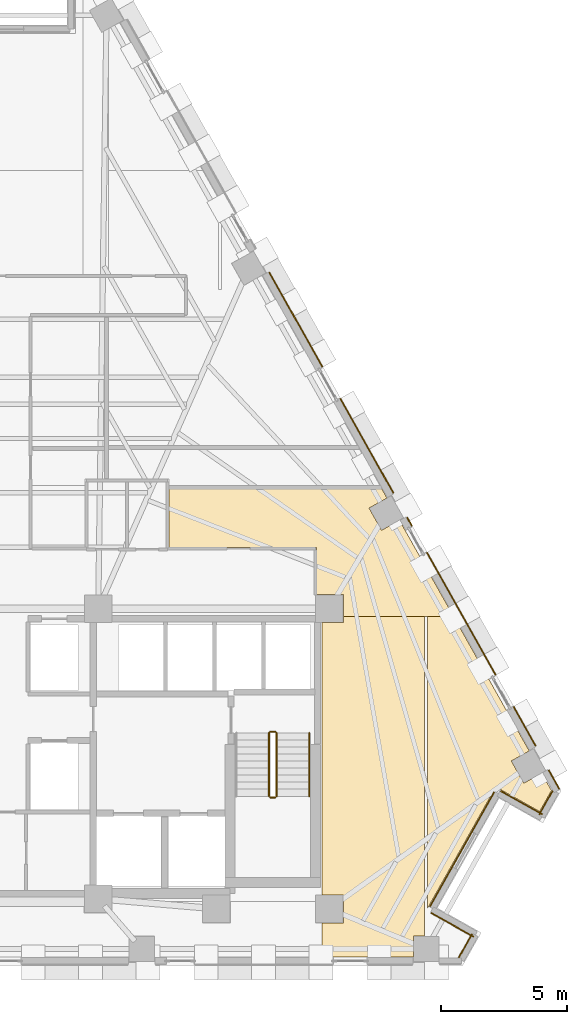
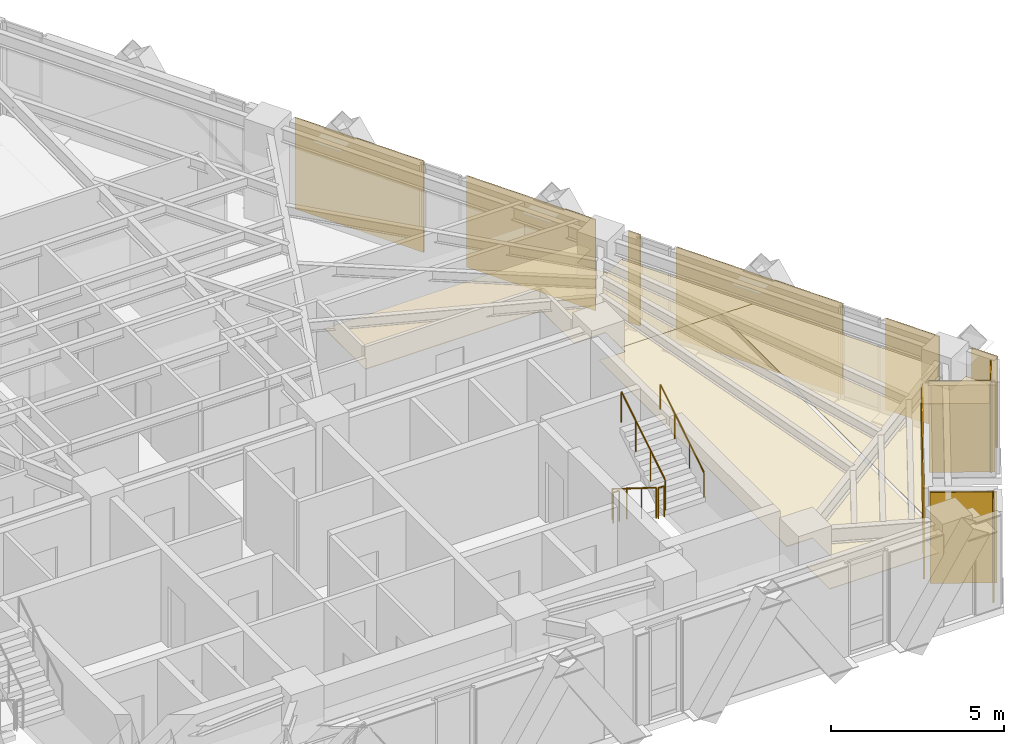
# One storey, part 13 of 14: 14 coverings, 5 railings.
"""IFC4 building model written with IfcOpenShell, lengths in metres."""

from ifc_helpers import new_model, si_unit, direction, frame, origin, origin_2d, place, context, subcontext, project, spatial, polyline, circle, outline, extrude, material, layer, layer_set, type_object, element, save


model = new_model("IFC4")

# Units and contexts
model_context = context("Model", 3, precision=1e-05, world=origin(), true_north=direction((0.0, 1.0)))
body_context = subcontext(model_context, "Body", "Model", "MODEL_VIEW")
ifc_project = project(units=[si_unit("LENGTHUNIT", "METRE"), si_unit("AREAUNIT", "SQUARE_METRE"), si_unit("VOLUMEUNIT", "CUBIC_METRE"), si_unit("PLANEANGLEUNIT", "RADIAN"), si_unit("MASSUNIT", "GRAM", prefix="KILO")], contexts=[model_context])

# Site, building, storey
site_placement = place(None, origin())
site = spatial("IfcSite", under=ifc_project, at=site_placement, CompositionType="ELEMENT")
building_placement = place(site_placement, origin())
building = spatial("IfcBuilding", under=site, at=building_placement, Name="Quenlor Broadcast Tower", CompositionType="ELEMENT")
storey_placement = place(building_placement, frame((0.0, 0.0, 168.5)))
storey = spatial("IfcBuildingStorey", under=building, at=storey_placement, Name="L46", CompositionType="ELEMENT", Elevation=168.5)

# Coverings
ifc_material_1 = material(Name="Acoustic Mineral Fibre Board", Category="other")
ifc_layer_1 = layer(ifc_material_1, 0.02490234375)
ifc_layer_set_1 = layer_set([ifc_layer_1], Name="Acoustic Perforated Mineral Tile Ceiling 25")
covering_type_1 = type_object("IfcCoveringType", Name="Acoustic Perforated Mineral Tile Ceiling 25", PredefinedType="CEILING", material=ifc_layer_set_1)
covering_1_placement = place(storey_placement, frame((0.0, 0.0, 2.375)))
element("IfcCovering", 1, at=covering_1_placement, inside=storey, type_object=covering_type_1, Name="L46 Acoustic Ceiling L46-38", PredefinedType="CEILING", context=body_context, shape_type="SweptSolid", body=[
    extrude(outline(polyline([(13.508056640625, -4.241943359375), (12.43994140625, -4.241943359375), (12.43994140625, -2.3701171875), (6.570068359375, -2.3701171875), (6.570068359375, -0.016357421875), (15.031494140625, -0.016357421875), (15.2451171875, -0.39599609375), (14.5322265625, -0.797119140625), (15.0302734375, -1.6826171875), (15.7431640625, -1.281494140625), (17.90234375, -5.1201171875), (16.860107421875, -5.1201171875), (16.739990234375, -5.1201171875), (13.508056640625, -5.1201171875), (13.508056640625, -4.241943359375)])), origin(), (0.0, 0.0, 1.0), 0.02490234375),
])
covering_2_placement = place(storey_placement, frame((0.0, 0.0, 2.375)))
element("IfcCovering", 2, at=covering_2_placement, inside=storey, type_object=covering_type_1, Name="L46 Acoustic Ceiling L46-38-2", PredefinedType="CEILING", context=body_context, shape_type="SweptSolid", body=[
    extrude(outline(polyline([(13.508056640625, -5.1201171875), (16.739990234375, -5.1201171875), (16.739990234375, -17.842041015625), (16.30029296875, -17.842041015625), (16.30029296875, -18.659912109375), (12.64990234375, -18.659912109375), (12.64990234375, -17.30810546875), (13.508056640625, -17.30810546875), (13.508056640625, -16.19189453125), (12.64990234375, -16.19189453125), (12.64990234375, -5.35791015625), (13.508056640625, -5.35791015625), (13.508056640625, -5.1201171875)])), origin(), (0.0, 0.0, 1.0), 0.02490234375),
])
covering_3_placement = place(storey_placement, frame((0.0, 0.0, 2.375)))
element("IfcCovering", 3, at=covering_3_placement, inside=storey, type_object=covering_type_1, Name="L46 Acoustic Ceiling L46-38-3", PredefinedType="CEILING", context=body_context, shape_type="SweptSolid", body=[
    extrude(outline(polyline([(20.90869140625, -10.46484375), (20.19580078125, -10.86572265625), (20.694091796875, -11.751220703125), (21.406982421875, -11.350341796875), (21.794921875, -12.0400390625), (21.323486328125, -12.878173828125), (19.580322265625, -11.8974609375), (16.860107421875, -16.733642578125), (16.860107421875, -5.1201171875), (17.90234375, -5.1201171875), (20.90869140625, -10.46484375)])), origin(), (0.0, 0.0, 1.0), 0.02490234375),
])
ifc_material_2 = material(Name="Architectural Terracotta Ceramic", Category="masonry")
ifc_layer_2 = layer(ifc_material_2, 0.044921875)
ifc_layer_set_2 = layer_set([ifc_layer_2], Name="Fluted Terracotta Rainscreen Cladding Panel")
covering_type_2 = type_object("IfcCoveringType", Name="Fluted Terracotta Rainscreen Cladding Panel", PredefinedType="CLADDING", material=ifc_layer_set_2)
covering_4_placement = place(storey_placement, frame((0.0, 0.0, 0.02001953125)))
element("IfcCovering", 4, at=covering_4_placement, inside=storey, type_object=covering_type_2, Name="L46 Terracotta Rainscreen Cladding L46-SHD-NES1", PredefinedType="CLADDING", context=body_context, shape_type="SweptSolid", body=[
    extrude(outline(polyline([(21.66162109375, -11.23779296875), (22.0859375, -11.992431640625), (22.125244140625, -11.970458984375), (21.70068359375, -11.2158203125), (21.66162109375, -11.23779296875)])), origin(), (0.0, 0.0, 1.0), 3.2099609375),
])
covering_5_placement = place(storey_placement, frame((0.0, 0.0, 0.02001953125)))
element("IfcCovering", 5, at=covering_5_placement, inside=storey, type_object=covering_type_2, Name="L46 Terracotta Rainscreen Cladding L46-NEC-SP1", PredefinedType="CLADDING", context=body_context, shape_type="SweptSolid", body=[
    extrude(outline(polyline([(16.025146484375, -1.1767578125), (16.22119140625, -1.525390625), (16.260498046875, -1.50341796875), (16.064453125, -1.15478515625), (16.025146484375, -1.1767578125)])), origin(), (0.0, 0.0, 1.0), 3.2099609375),
])
covering_6_placement = place(storey_placement, frame((0.0, 0.0, 0.02001953125)))
element("IfcCovering", 6, at=covering_6_placement, inside=storey, type_object=covering_type_2, Name="L46 Terracotta Rainscreen Cladding L46-NEC-SP2", PredefinedType="CLADDING", context=body_context, shape_type="SweptSolid", body=[
    extrude(outline(polyline([(16.81591796875, -2.582763671875), (19.55322265625, -7.44921875), (19.592529296875, -7.42724609375), (16.855224609375, -2.560791015625), (16.81591796875, -2.582763671875)])), origin(), (0.0, 0.0, 1.0), 3.2099609375),
])
covering_7_placement = place(storey_placement, frame((0.0, 0.0, 0.02001953125)))
element("IfcCovering", 7, at=covering_7_placement, inside=storey, type_object=covering_type_2, Name="L46 Terracotta Rainscreen Cladding L46-NEC-SP3", PredefinedType="CLADDING", context=body_context, shape_type="SweptSolid", body=[
    extrude(outline(polyline([(20.26416015625, -8.712646484375), (21.14453125, -10.278076171875), (21.183837890625, -10.256103515625), (20.30322265625, -8.690673828125), (20.26416015625, -8.712646484375)])), origin(), (0.0, 0.0, 1.0), 3.2099609375),
])
covering_8_placement = place(storey_placement, frame((0.0, 0.0, 0.02001953125)))
element("IfcCovering", 8, at=covering_8_placement, inside=storey, type_object=covering_type_2, Name="L46 Terracotta Rainscreen Cladding L46-NE-SP1", PredefinedType="CLADDING", context=body_context, shape_type="SweptSolid", body=[
    extrude(outline(polyline([(10.541748046875, 8.571533203125), (12.656982421875, 4.810791015625), (12.6962890625, 4.832763671875), (10.580810546875, 8.593505859375), (10.541748046875, 8.571533203125)])), origin(), (0.0, 0.0, 1.0), 3.2099609375),
])
covering_9_placement = place(storey_placement, frame((0.0, 0.0, 0.02001953125)))
element("IfcCovering", 9, at=covering_9_placement, inside=storey, type_object=covering_type_2, Name="L46 Terracotta Rainscreen Cladding L46-NE-SP2", PredefinedType="CLADDING", context=body_context, shape_type="SweptSolid", body=[
    extrude(outline(polyline([(13.367919921875, 3.547119140625), (15.4833984375, -0.213623046875), (15.522705078125, -0.191650390625), (13.4072265625, 3.569091796875), (13.367919921875, 3.547119140625)])), origin(), (0.0, 0.0, 1.0), 3.2099609375),
])
covering_10_placement = place(storey_placement, frame((0.0, 0.0, 0.02001953125)))
element("IfcCovering", 10, at=covering_10_placement, inside=storey, type_object=covering_type_2, Name="L46 Terracotta Rainscreen Cladding L46-CNR-01", PredefinedType="CLADDING", context=body_context, shape_type="SweptSolid", body=[
    extrude(outline(polyline([(18.702880859375, -17.8427734375), (17.011962890625, -16.8916015625), (16.989990234375, -16.930908203125), (18.680908203125, -17.882080078125), (18.702880859375, -17.8427734375)])), origin(), (0.0, 0.0, 1.0), 3.2099609375),
])
covering_11_placement = place(storey_placement, frame((0.0, 0.0, 0.02001953125)))
element("IfcCovering", 11, at=covering_11_placement, inside=storey, type_object=covering_type_2, Name="L46 Terracotta Rainscreen Cladding L46-CNR-02", PredefinedType="CLADDING", context=body_context, shape_type="SweptSolid", body=[
    extrude(outline(polyline([(16.9775390625, -16.663330078125), (19.53662109375, -12.11376953125), (19.49755859375, -12.091796875), (16.938232421875, -16.641357421875), (16.9775390625, -16.663330078125)])), origin(), (0.0, 0.0, 1.0), 3.2099609375),
])
covering_12_placement = place(storey_placement, frame((0.0, 0.0, 0.02001953125)))
element("IfcCovering", 12, at=covering_12_placement, inside=storey, type_object=covering_type_2, Name="L46 Terracotta Rainscreen Cladding L46-CNR-03", PredefinedType="CLADDING", context=body_context, shape_type="SweptSolid", body=[
    extrude(outline(polyline([(19.764892578125, -12.079345703125), (21.4208984375, -13.010986328125), (21.443115234375, -12.9716796875), (19.787109375, -12.0400390625), (19.764892578125, -12.079345703125)])), origin(), (0.0, 0.0, 1.0), 3.2099609375),
])
covering_13_placement = place(storey_placement, frame((0.0, 0.0, 0.02001953125)))
element("IfcCovering", 13, at=covering_13_placement, inside=storey, type_object=covering_type_2, Name="L46 Terracotta Rainscreen Cladding L46-CNR-04", PredefinedType="CLADDING", context=body_context, shape_type="SweptSolid", body=[
    extrude(outline(polyline([(21.328857421875, -13.007080078125), (21.859619140625, -12.0634765625), (21.820556640625, -12.04150390625), (21.289794921875, -12.985107421875), (21.328857421875, -13.007080078125)])), origin(), (0.0, 0.0, 1.0), 3.2099609375),
])
covering_14_placement = place(storey_placement, frame((0.0, 0.0, 0.02001953125)))
element("IfcCovering", 14, at=covering_14_placement, inside=storey, type_object=covering_type_2, Name="L46 Terracotta Rainscreen Cladding L46-CNR-18", PredefinedType="CLADDING", context=body_context, shape_type="SweptSolid", body=[
    extrude(outline(polyline([(18.122802734375, -18.70654296875), (18.652099609375, -17.76611328125), (18.61279296875, -17.743896484375), (18.083740234375, -18.6845703125), (18.122802734375, -18.70654296875)])), origin(), (0.0, 0.0, 1.0), 3.2099609375),
])

# Railings
ifc_material_3 = material(Name="Anodised Aluminium", Category="aluminium")
railing_type_1 = type_object("IfcRailingType", Name="Stainless Aluminium Wall Handrail 900", PredefinedType="HANDRAIL", material=ifc_material_3)
railing_1_placement = place(storey_placement, frame((12.14990234375, -12.27001953125, 1.925048828125)))
element("IfcRailing", 15, at=railing_1_placement, inside=storey, type_object=railing_type_1, Name="L46 ST-2 stair handrail 2", PredefinedType="HANDRAIL", context=body_context, shape_type="SweptSolid", body=[
    extrude(circle(Radius=0.02392578125, at=origin_2d()), frame((0.0, 0.0, 0.8759765625), z_axis=(0.0, 0.848007534815, 0.529984170421), x_axis=(-1.0, 0.0, 0.0)), (0.0, 0.0, 1.0), 2.9716796875),
    extrude(circle(Radius=0.02099609375, at=origin_2d()), origin(), (0.0, 0.0, 1.0), 0.851806640625),
    extrude(circle(Radius=0.02099609375, at=origin_2d()), frame((0.0, 0.840087890625, 0.52490234375)), (0.0, 0.0, 1.0), 0.851806640625),
    extrude(circle(Radius=0.02099609375, at=origin_2d()), frame((0.0, 1.679931640625, 1.050048828125)), (0.0, 0.0, 1.0), 0.851806640625),
    extrude(circle(Radius=0.02099609375, at=origin_2d()), frame((0.0, 2.52001953125, 1.574951171875)), (0.0, 0.0, 1.0), 0.851806640625),
])
ifc_material_4 = material(Name="Steel S355", Category="steel")
railing_type_2 = type_object("IfcRailingType", Name="Tubular Steel S355 Stair Guardrail 1100", PredefinedType="BALUSTRADE", material=ifc_material_4)
railing_2_placement = place(storey_placement, frame((10.550048828125, -9.75, 0.175048828125)))
element("IfcRailing", 16, at=railing_2_placement, inside=storey, type_object=railing_type_2, Name="L46 ST-2 stair guard 1", PredefinedType="BALUSTRADE", context=body_context, shape_type="SweptSolid", body=[
    extrude(circle(Radius=0.02392578125, at=origin_2d()), frame((0.0, 0.0, 1.076171875), z_axis=(0.0, -0.848007534815, 0.529984170421), x_axis=(1.0, 0.0, 0.0)), (0.0, 0.0, 1.0), 2.9716796875),
    extrude(circle(Radius=0.02099609375, at=origin_2d()), origin(), (0.0, 0.0, 1.0), 1.052001953125),
    extrude(circle(Radius=0.02099609375, at=origin_2d()), frame((0.0, -0.840087890625, 0.52490234375)), (0.0, 0.0, 1.0), 1.052001953125),
    extrude(circle(Radius=0.02099609375, at=origin_2d()), frame((0.0, -1.679931640625, 1.050048828125)), (0.0, 0.0, 1.0), 1.052001953125),
    extrude(circle(Radius=0.02099609375, at=origin_2d()), frame((0.0, -2.52001953125, 1.574951171875)), (0.0, 0.0, 1.0), 1.052001953125),
])
railing_3_placement = place(storey_placement, frame((10.60009765625, -12.320068359375, 1.75)))
element("IfcRailing", 17, at=railing_3_placement, inside=storey, type_object=railing_type_2, Name="L46 ST-2 stair guard 2", PredefinedType="BALUSTRADE", context=body_context, shape_type="SweptSolid", body=[
    extrude(circle(Radius=0.02392578125, at=origin_2d()), frame((0.0, 0.0, 1.076171875), z_axis=(1.0, 0.0, 0.0), x_axis=(0.0, 1.0, 0.0)), (0.0, 0.0, 1.0), 0.199951171875),
    extrude(circle(Radius=0.02099609375, at=origin_2d()), origin(), (0.0, 0.0, 1.0), 1.052001953125),
    extrude(circle(Radius=0.02099609375, at=origin_2d()), frame((0.199951171875, 0.0, 0.0)), (0.0, 0.0, 1.0), 1.052001953125),
])
railing_4_placement = place(storey_placement, frame((10.85009765625, -12.27001953125, 1.925048828125)))
element("IfcRailing", 18, at=railing_4_placement, inside=storey, type_object=railing_type_2, Name="L46 ST-2 stair guard 3", PredefinedType="BALUSTRADE", context=body_context, shape_type="SweptSolid", body=[
    extrude(circle(Radius=0.02392578125, at=origin_2d()), frame((0.0, 0.0, 1.076171875), z_axis=(0.0, 0.848007534815, 0.529984170421), x_axis=(-1.0, 0.0, 0.0)), (0.0, 0.0, 1.0), 2.9716796875),
    extrude(circle(Radius=0.02099609375, at=origin_2d()), origin(), (0.0, 0.0, 1.0), 1.052001953125),
    extrude(circle(Radius=0.02099609375, at=origin_2d()), frame((0.0, 0.840087890625, 0.52490234375)), (0.0, 0.0, 1.0), 1.052001953125),
    extrude(circle(Radius=0.02099609375, at=origin_2d()), frame((0.0, 1.679931640625, 1.050048828125)), (0.0, 0.0, 1.0), 1.052001953125),
    extrude(circle(Radius=0.02099609375, at=origin_2d()), frame((0.0, 2.52001953125, 1.574951171875)), (0.0, 0.0, 1.0), 1.052001953125),
])
railing_5_placement = place(storey_placement, frame((10.60009765625, -9.699951171875, 0.0)))
element("IfcRailing", 19, at=railing_5_placement, inside=storey, type_object=railing_type_2, Name="L46 ST-2 stair guard 4", PredefinedType="BALUSTRADE", context=body_context, shape_type="SweptSolid", body=[
    extrude(circle(Radius=0.02392578125, at=origin_2d()), frame((0.0, 0.0, 1.076171875), z_axis=(1.0, 0.0, 0.0), x_axis=(0.0, 1.0, 0.0)), (0.0, 0.0, 1.0), 0.199951171875),
    extrude(circle(Radius=0.02099609375, at=origin_2d()), origin(), (0.0, 0.0, 1.0), 1.052001953125),
    extrude(circle(Radius=0.02099609375, at=origin_2d()), frame((0.199951171875, 0.0, 0.0)), (0.0, 0.0, 1.0), 1.052001953125),
])

save(model, "model.ifc")
